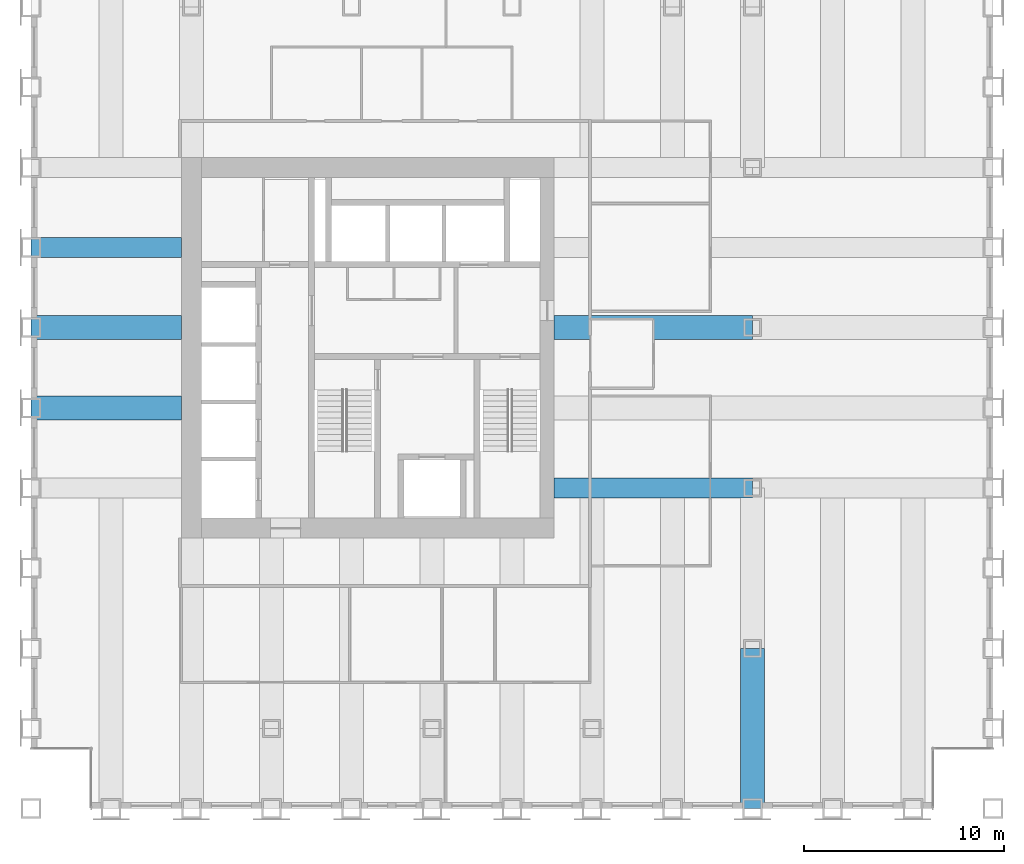
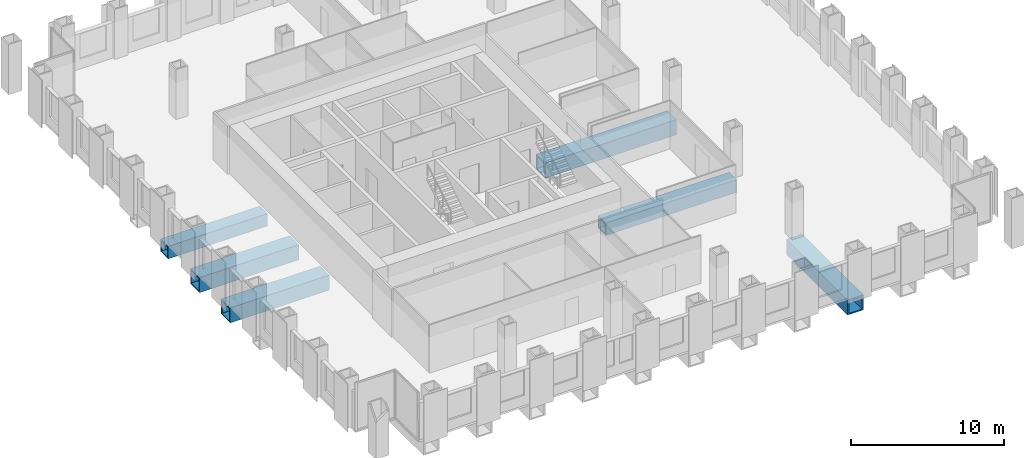
# One storey, part 3 of 14: 6 beams.
"""IFC4 building model written with IfcOpenShell, lengths in metres."""

from ifc_helpers import new_model, si_unit, direction, frame, origin, origin_2d, place, context, subcontext, project, spatial, hollow_rectangle, extrude, material, material_profile, profile_set, type_object, element, save


model = new_model("IFC4")

# Units and contexts
model_context = context("Model", 3, precision=1e-05, world=origin(), true_north=direction((0.0, 1.0)))
body_context = subcontext(model_context, "Body", "Model", "MODEL_VIEW")
ifc_project = project(units=[si_unit("LENGTHUNIT", "METRE"), si_unit("AREAUNIT", "SQUARE_METRE"), si_unit("VOLUMEUNIT", "CUBIC_METRE"), si_unit("PLANEANGLEUNIT", "RADIAN"), si_unit("MASSUNIT", "GRAM", prefix="KILO")], contexts=[model_context])

# Site, building, storey
site_placement = place(None, origin())
site = spatial("IfcSite", under=ifc_project, at=site_placement, CompositionType="ELEMENT")
building_placement = place(site_placement, origin())
building = spatial("IfcBuilding", under=site, at=building_placement, Name="Rimbunsela Tower", CompositionType="ELEMENT")
storey_placement = place(building_placement, frame((0.0, 0.0, 109.39990234375)))
storey = spatial("IfcBuildingStorey", under=building, at=storey_placement, Name="L26", CompositionType="ELEMENT", Elevation=109.39990234375)

# Beams
ifc_material_1 = material(Name="Steel BJ 55 (fy 410 MPa)", Category="steel")
ifc_material_profile_1 = material_profile(ifc_material_1, hollow_rectangle(XDim=1.0, YDim=1.0, WallThickness=0.10009765625, at=origin_2d()), Name="BOX 1000x1000x100")
ifc_profile_set_1 = profile_set([ifc_material_profile_1], Name="Steel BJ 55 (fy 410 MPa)")
beam_type_1 = type_object("IfcBeamType", Name="Beam BOX 1000x1000x100", PredefinedType="BEAM", material=ifc_profile_set_1)
beam_1_placement = place(storey_placement, frame((10.0, 32.0, -0.64990234375), z_axis=(1.0, 0.0, 0.0), x_axis=(0.0, 1.0, 0.0)))
element("IfcBeam", 1, at=beam_1_placement, inside=storey, type_object=beam_type_1, Name="Beam B3 L26", PredefinedType="BEAM", context=body_context, shape_type="SweptSolid", body=[
    extrude(hollow_rectangle(XDim=1.0, YDim=1.0, WallThickness=0.10009765625, at=origin_2d()), origin(), (0.0, 0.0, 1.0), 7.5),
])
beam_2_placement = place(storey_placement, frame((36.10009765625, 20.0, -0.64990234375), z_axis=(1.0, 0.0, 0.0), x_axis=(0.0, 1.0, 0.0)))
element("IfcBeam", 2, at=beam_2_placement, inside=storey, type_object=beam_type_1, Name="Beam B3 L26", PredefinedType="BEAM", context=body_context, shape_type="SweptSolid", body=[
    extrude(hollow_rectangle(XDim=1.0, YDim=1.0, WallThickness=0.10009765625, at=origin_2d()), origin(), (0.0, 0.0, 1.0), 9.89990234375),
])
ifc_material_2 = material(Name="Steel BJ 55 (fy 410 MPa)", Category="steel")
ifc_material_profile_2 = material_profile(ifc_material_2, hollow_rectangle(XDim=1.199951171875, YDim=1.199951171875, WallThickness=0.10009765625, at=origin_2d()), Name="BOX 1200x1200x100")
ifc_profile_set_2 = profile_set([ifc_material_profile_2], Name="Steel BJ 55 (fy 410 MPa)")
beam_type_2 = type_object("IfcBeamType", Name="Beam BOX 1200x1200x100", PredefinedType="BEAM", material=ifc_profile_set_2)
for number, where, z_axis, x_axis, name in (
    (3, (10.0, 24.0, -0.75), (1.0, 0.0, 0.0), (0.0, 1.0, 0.0), "Beam B5 L26"),
    (4, (10.0, 28.0, -0.75), (1.0, 0.0, 0.0), (0.0, 1.0, 0.0), "Beam B5 L26"),
):
    element("IfcBeam", number, at=place(storey_placement, frame(where, z_axis=z_axis, x_axis=x_axis)), inside=storey, type_object=beam_type_2, Name=name, PredefinedType="BEAM", context=body_context, shape_type="SweptSolid", body=[
        extrude(hollow_rectangle(XDim=1.199951171875, YDim=1.199951171875, WallThickness=0.10009765625, at=origin_2d()), origin(), (0.0, 0.0, 1.0), 7.5),
    ])
beam_3_placement = place(storey_placement, frame((36.10009765625, 28.0, -0.75), z_axis=(1.0, 0.0, 0.0), x_axis=(0.0, 1.0, 0.0)))
element("IfcBeam", 5, at=beam_3_placement, inside=storey, type_object=beam_type_2, Name="Beam B5 L26", PredefinedType="BEAM", context=body_context, shape_type="SweptSolid", body=[
    extrude(hollow_rectangle(XDim=1.199951171875, YDim=1.199951171875, WallThickness=0.10009765625, at=origin_2d()), origin(), (0.0, 0.0, 1.0), 9.89990234375),
])
beam_4_placement = place(storey_placement, frame((46.0, 4.0, -0.75), z_axis=(0.0, 1.0, 0.0), x_axis=(-1.0, 0.0, 0.0)))
element("IfcBeam", 6, at=beam_4_placement, inside=storey, type_object=beam_type_2, Name="Beam B5 L26", PredefinedType="BEAM", context=body_context, shape_type="SweptSolid", body=[
    extrude(hollow_rectangle(XDim=1.199951171875, YDim=1.199951171875, WallThickness=0.10009765625, at=origin_2d()), origin(), (0.0, 0.0, 1.0), 8.0),
])

save(model, "model.ifc")
